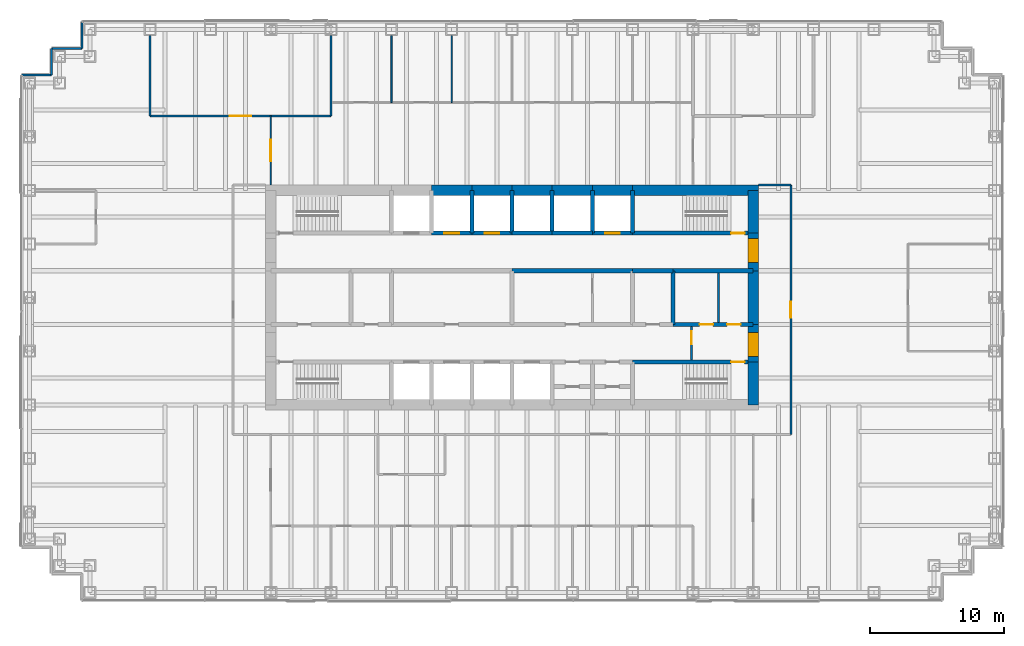
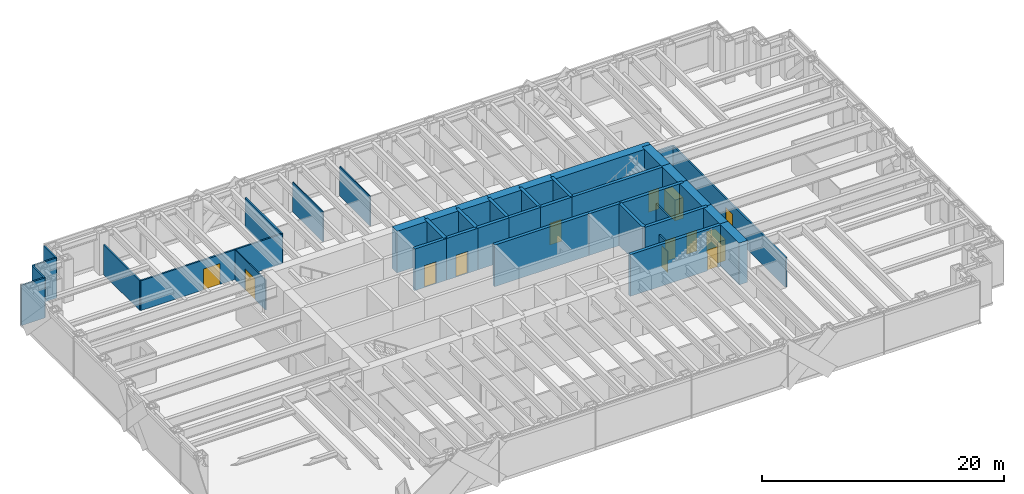
# One storey, part 12 of 14: 42 walls, 13 doors, 13 openings.
"""IFC4 building model written with IfcOpenShell, lengths in metres."""

import ifcopenshell
import ifcopenshell.guid

model = None  # the IFC model being written
_history = None  # IfcOwnerHistory: only IFC2X3 demands one
_inside = {}  # id of a spatial element -> (the spatial element, [elements in it])
_under = {}  # id of a project, library or spatial element -> (it, [spatial elements below it])
_declared = {}  # id of a project -> (the project, [libraries it declares])
_typed = {}  # id of a type object -> (the type object, [elements of that type])
_made_of = {}  # id of a material, layer set ... -> (it, [elements and type objects made of it])


def new_model(schema):
    """Start an empty IFC model of exactly this schema.

    Asked for "IFC4X3", IfcOpenShell would pick the latest addendum, in which some entities
    have other attributes; the version numbers below select the first issue.
    IFC2X3 requires an IfcOwnerHistory on every rooted entity: one is made here for all.
    """
    global model, _history
    if schema == "IFC4X3":
        model = ifcopenshell.file(schema_version=(4, 3, 0, 0))
    else:
        model = ifcopenshell.file(schema=schema)
    _inside.clear()
    _under.clear()
    _declared.clear()
    _typed.clear()
    _made_of.clear()
    _history = None
    if model.schema == "IFC2X3":
        org = make("IfcOrganization", Name="unknown")
        user = make(
            "IfcPersonAndOrganization",
            ThePerson=make("IfcPerson", FamilyName="unknown"),
            TheOrganization=org,
        )
        app = make(
            "IfcApplication",
            ApplicationDeveloper=org,
            Version="unknown",
            ApplicationFullName="unknown",
            ApplicationIdentifier="unknown",
        )
        _history = make(
            "IfcOwnerHistory",
            OwningUser=user,
            OwningApplication=app,
            ChangeAction="ADDED",
            CreationDate=0,
        )
    return model


def make(cls, **values):
    """One entity of the class cls with the attributes given. An attribute that is None is left unset."""
    return model.create_entity(
        cls, **{name: value for name, value in values.items() if value is not None}
    )


def rooted(cls, **values):
    """An entity with a GlobalId (a new one), such as an element, a storey or a relation."""
    return make(cls, GlobalId=ifcopenshell.guid.new(), OwnerHistory=_history, **values)


def si_unit(unit_type, name, prefix=None):
    """IfcSIUnit, for example si_unit("LENGTHUNIT", "METRE", prefix="MILLI")."""
    return make("IfcSIUnit", UnitType=unit_type, Prefix=prefix, Name=name)


def assignment(units):
    """IfcUnitAssignment: the units of a project."""
    return None if units is None else make("IfcUnitAssignment", Units=units)


def point(xyz):
    """IfcCartesianPoint."""
    return None if xyz is None else make("IfcCartesianPoint", Coordinates=xyz)


def direction(xyz):
    """IfcDirection."""
    return None if xyz is None else make("IfcDirection", DirectionRatios=xyz)


def frame(location, z_axis=None, x_axis=None):
    """IfcAxis2Placement3D, a coordinate frame: its origin and axes. An axis left out is left unset."""
    return make(
        "IfcAxis2Placement3D",
        Location=point(location),
        Axis=direction(z_axis),
        RefDirection=direction(x_axis),
    )


def frame_2d(location, x_axis=None):
    """IfcAxis2Placement2D, a coordinate frame in the plane: its origin and x axis."""
    return make(
        "IfcAxis2Placement2D", Location=point(location), RefDirection=direction(x_axis)
    )


def origin():
    """The frame at (0, 0, 0) with its axes left unset."""
    return frame((0.0, 0.0, 0.0))


def place(relative_to, where):
    """IfcLocalPlacement: puts the frame where relative to a parent placement (None: the world)."""
    return make(
        "IfcLocalPlacement", PlacementRelTo=relative_to, RelativePlacement=where
    )


def context(
    kind, dimensions, precision=None, world=None, true_north=None, identifier=None
):
    """IfcGeometricRepresentationContext, for example the 3D "Model" context."""
    return make(
        "IfcGeometricRepresentationContext",
        ContextIdentifier=identifier,
        ContextType=kind,
        CoordinateSpaceDimension=dimensions,
        Precision=precision,
        WorldCoordinateSystem=world,
        TrueNorth=true_north,
    )


def subcontext(parent, identifier, kind, view, scale=None):
    """IfcGeometricRepresentationSubContext, for example "Body" below "Model"."""
    return make(
        "IfcGeometricRepresentationSubContext",
        ContextIdentifier=identifier,
        ContextType=kind,
        ParentContext=parent,
        TargetScale=scale,
        TargetView=view,
    )


def project(units=None, contexts=None):
    """IfcProject with its units and contexts."""
    return rooted(
        "IfcProject",
        Name="project",
        RepresentationContexts=contexts,
        UnitsInContext=assignment(units),
    )


def spatial(cls, under=None, at=None, **own):
    """A site, building, storey or space (cls), placed at a placement, below another one or the project."""
    s = rooted(cls, ObjectPlacement=at, **own)
    if under is not None:
        _under.setdefault(under.id(), (under, []))[1].append(s)
    return s


def profile(cls, at=None, kind="AREA", **sizes):
    """A parametric profile (cls). Its sizes go by their IFC names, for example OverallWidth=200.0."""
    return make(cls, ProfileType=kind, Position=at, **sizes)


def rectangle(**sizes):
    """IfcRectangleProfileDef."""
    return profile("IfcRectangleProfileDef", **sizes)


def extrude(swept, where, along, depth):
    """IfcExtrudedAreaSolid: the profile swept, set in the frame where, extruded along a direction by depth."""
    return make(
        "IfcExtrudedAreaSolid",
        SweptArea=swept,
        Position=where,
        ExtrudedDirection=direction(along),
        Depth=depth,
    )


def shape(context_of_items, identifier, shape_type, items):
    """IfcShapeRepresentation: the items that make up one representation, for example the "Body"."""
    return make(
        "IfcShapeRepresentation",
        ContextOfItems=context_of_items,
        RepresentationIdentifier=identifier,
        RepresentationType=shape_type,
        Items=items,
    )


def material(Name=None, Category=None):
    """IfcMaterial."""
    return make("IfcMaterial", Name=Name, Category=Category)


def layer(
    of_material, thickness, ventilated=None, Name=None, Category=None, Priority=None
):
    """IfcMaterialLayer: one layer of a wall or slab, of a material (None: an air gap)."""
    return make(
        "IfcMaterialLayer",
        Material=of_material,
        LayerThickness=thickness,
        IsVentilated=ventilated,
        Name=Name,
        Category=Category,
        Priority=Priority,
    )


def layer_set(layers, Name=None):
    """IfcMaterialLayerSet."""
    return make("IfcMaterialLayerSet", MaterialLayers=layers, LayerSetName=Name)


def made_of(thing, what):
    """Note that an element or type object is made of a material, layer set ...; save() writes the relation."""
    if what is not None:
        _made_of.setdefault(what.id(), (what, []))[1].append(thing)
    return thing


def type_object(cls, material=None, **own):
    """A type object (cls), such as IfcWallType, which elements share."""
    return made_of(rooted(cls, **own), material)


def element(
    cls,
    number,
    at=None,
    inside=None,
    cuts=None,
    type_object=None,
    material=None,
    context=None,
    identifier="Body",
    shape_type=None,
    held_by="IfcProductDefinitionShape",
    body=None,
    shapes=None,
    **own,
):
    """One element of the class cls, such as IfcWall. Its Tag is "e" and its number.

    at: its placement. inside: the storey or other place that contains it. cuts: it is an
    opening in that element (IfcRelVoidsElement). A single representation is given by context,
    identifier, shape_type and body (its items); several are given by shapes. held_by: the class
    of the entity that holds the representations. save() writes the other relations.
    """
    e = rooted(cls, Tag="e%d" % number, ObjectPlacement=at, **own)
    if body is not None:
        shapes = [shape(context, identifier, shape_type, body)]
    if shapes is not None:
        e.Representation = make(held_by, Representations=shapes)
    if inside is not None:
        _inside.setdefault(inside.id(), (inside, []))[1].append(e)
    if cuts is not None:
        rooted(
            "IfcRelVoidsElement", RelatingBuildingElement=cuts, RelatedOpeningElement=e
        )
    if type_object is not None:
        _typed.setdefault(type_object.id(), (type_object, []))[1].append(e)
    return made_of(e, material)


def fill(opening, filler):
    """IfcRelFillsElement: the door or window that sits in an opening."""
    return rooted(
        "IfcRelFillsElement",
        RelatingOpeningElement=opening,
        RelatedBuildingElement=filler,
    )


def aggregate(whole, parts):
    """IfcRelAggregates: a whole, such as a stair, and the parts it consists of."""
    return rooted("IfcRelAggregates", RelatingObject=whole, RelatedObjects=parts)


def save(model, path):
    """Write the relations noted so far, then the file.

    IfcRelAggregates (storeys below a building ...), IfcRelContainedInSpatialStructure (elements
    in a storey), IfcRelDefinesByType, IfcRelAssociatesMaterial and IfcRelDeclares: one each for
    every whole, place, type object, material and project.
    """
    for whole, parts in _under.values():
        aggregate(whole, parts)
    for where, things in _inside.values():
        rooted(
            "IfcRelContainedInSpatialStructure",
            RelatedElements=things,
            RelatingStructure=where,
        )
    for kind, things in _typed.values():
        rooted("IfcRelDefinesByType", RelatedObjects=things, RelatingType=kind)
    for what, things in _made_of.values():
        rooted("IfcRelAssociatesMaterial", RelatedObjects=things, RelatingMaterial=what)
    for by, libraries in _declared.values():
        rooted("IfcRelDeclares", RelatingContext=by, RelatedDefinitions=libraries)
    model.write(path)


model = new_model("IFC4")

# Units and contexts
model_context = context("Model", 3, precision=1e-05, world=origin(), true_north=direction((0.0, 1.0)))
body_context = subcontext(model_context, "Body", "Model", "MODEL_VIEW")
ifc_project = project(units=[si_unit("LENGTHUNIT", "METRE"), si_unit("AREAUNIT", "SQUARE_METRE"), si_unit("VOLUMEUNIT", "CUBIC_METRE"), si_unit("PLANEANGLEUNIT", "RADIAN"), si_unit("MASSUNIT", "GRAM", prefix="KILO")], contexts=[model_context])

# Site, building, storey
site_placement = place(None, origin())
site = spatial("IfcSite", under=ifc_project, at=site_placement, CompositionType="ELEMENT")
building_placement = place(site_placement, origin())
building = spatial("IfcBuilding", under=site, at=building_placement, Name="Rheinbord Bourse Tower", CompositionType="ELEMENT")
storey_placement = place(building_placement, frame((0.0, 0.0, 198.39990234375)))
storey = spatial("IfcBuildingStorey", under=building, at=storey_placement, Name="L44", CompositionType="ELEMENT", Elevation=198.39990234375)

# Wall, opening, door
ifc_material_1 = material(Name="Concrete C50/60", Category="concrete")
ifc_layer_1 = layer(ifc_material_1, 0.300048828125)
ifc_layer_set_1 = layer_set([ifc_layer_1], Name="CORE INNER WALL 300")
wall_type_1 = type_object("IfcWallType", Name="CORE INNER WALL 300", PredefinedType="SOLIDWALL", material=ifc_layer_set_1)
wall_1_placement = place(storey_placement, frame((45.0, 19.199951171875, 0.0), z_axis=(0.0, 0.0, 1.0), x_axis=(1.0, 0.0, 0.0)))
wall_1 = element("IfcWall", 1, at=wall_1_placement, inside=storey, type_object=wall_type_1, Name="Core wall A8 L44", PredefinedType="SOLIDWALL", context=body_context, shape_type="SweptSolid", body=[
    extrude(rectangle(XDim=9.0, YDim=0.300048828125, at=frame_2d((4.5, 0.0))), origin(), (0.0, 0.0, 1.0), 4.2001953125),
])
opening_1_placement = place(wall_1_placement, frame((7.35009765625, 0.0, 0.0)))
opening_1 = element("IfcOpeningElement", 2, at=opening_1_placement, cuts=wall_1, Name="Opening 4430", PredefinedType="OPENING", context=body_context, shape_type="SweptSolid", body=[
    extrude(rectangle(XDim=1.0, YDim=2.10009765625, at=frame_2d((0.5, 1.050048828125))), frame((0.0, 0.159912109375, 0.0), z_axis=(0.0, -1.0, 0.0), x_axis=(1.0, 0.0, 0.0)), (0.0, 0.0, 1.0), 0.320068359375),
])
ifc_material_2 = material(Name="Steel door", Category="steel")
door_type_1 = type_object("IfcDoorType", Name="DOOR 1000 EI30", OperationType="SINGLE_SWING_LEFT", PredefinedType="DOOR", material=ifc_material_2)
door_1_placement = place(opening_1_placement, origin())
door_1 = element("IfcDoor", 3, at=door_1_placement, inside=storey, type_object=door_type_1, Name="Stair door ST3 L44", OperationType="SINGLE_SWING_RIGHT", OverallHeight=2.10009765625, OverallWidth=1.0, PredefinedType="DOOR", context=body_context, shape_type="SweptSolid", body=[
    extrude(rectangle(XDim=1.0, YDim=2.10009765625, at=frame_2d((0.5, 1.050048828125))), frame((0.0, 0.02490234375, 0.0), z_axis=(0.0, -1.0, 0.0), x_axis=(1.0, 0.0, 0.0)), (0.0, 0.0, 1.0), 0.050048828125),
])
fill(opening_1, door_1)

wall_2_placement = place(storey_placement, frame((30.0, 28.800048828125, 0.0), z_axis=(0.0, 0.0, 1.0), x_axis=(1.0, 0.0, 0.0)))
wall_2 = element("IfcWall", 4, at=wall_2_placement, inside=storey, type_object=wall_type_1, Name="Core wall B3 L44", PredefinedType="SOLIDWALL", context=body_context, shape_type="SweptSolid", body=[
    extrude(rectangle(XDim=3.0, YDim=0.300048828125, at=frame_2d((1.5, 0.0))), origin(), (0.0, 0.0, 1.0), 4.2001953125),
])
opening_2_placement = place(wall_2_placement, frame((0.949951171875, 0.0, 0.0)))
opening_2 = element("IfcOpeningElement", 5, at=opening_2_placement, cuts=wall_2, Name="Opening PC4", PredefinedType="OPENING", context=body_context, shape_type="SweptSolid", body=[
    extrude(rectangle(XDim=1.10009765625, YDim=2.199951171875, at=frame_2d((0.550048828125, 1.10009765625))), frame((0.0, 0.159912109375, 0.0), z_axis=(0.0, -1.0, 0.0), x_axis=(1.0, 0.0, 0.0)), (0.0, 0.0, 1.0), 0.320068359375),
])
ifc_material_3 = material(Name="Steel landing door", Category="steel")
door_type_2 = type_object("IfcDoorType", Name="LIFT LANDING DOOR 1100", OperationType="DOUBLE_DOOR_SLIDING", PredefinedType="USERDEFINED", material=ifc_material_3)
door_2_placement = place(opening_2_placement, origin())
door_2 = element("IfcDoor", 6, at=door_2_placement, inside=storey, type_object=door_type_2, Name="Lift landing door PC4 L44", ObjectType="LIFT LANDING DOOR", OperationType="DOUBLE_DOOR_SLIDING", OverallHeight=2.199951171875, OverallWidth=1.10009765625, PredefinedType="USERDEFINED", context=body_context, shape_type="SweptSolid", body=[
    extrude(rectangle(XDim=1.10009765625, YDim=2.199951171875, at=frame_2d((0.550048828125, 1.10009765625))), frame((0.0, 0.02490234375, 0.0), z_axis=(0.0, -1.0, 0.0), x_axis=(1.0, 0.0, 0.0)), (0.0, 0.0, 1.0), 0.050048828125),
])
fill(opening_2, door_2)

wall_3_placement = place(storey_placement, frame((33.0, 28.800048828125, 0.0), z_axis=(0.0, 0.0, 1.0), x_axis=(1.0, 0.0, 0.0)))
wall_3 = element("IfcWall", 7, at=wall_3_placement, inside=storey, type_object=wall_type_1, Name="Core wall B4 L44", PredefinedType="SOLIDWALL", context=body_context, shape_type="SweptSolid", body=[
    extrude(rectangle(XDim=3.0, YDim=0.300048828125, at=frame_2d((1.5, 0.0))), origin(), (0.0, 0.0, 1.0), 4.2001953125),
])
opening_3_placement = place(wall_3_placement, frame((0.949951171875, 0.0, 0.0)))
opening_3 = element("IfcOpeningElement", 8, at=opening_3_placement, cuts=wall_3, Name="Opening PC5", PredefinedType="OPENING", context=body_context, shape_type="SweptSolid", body=[
    extrude(rectangle(XDim=1.10009765625, YDim=2.199951171875, at=frame_2d((0.550048828125, 1.10009765625))), frame((0.0, 0.159912109375, 0.0), z_axis=(0.0, -1.0, 0.0), x_axis=(1.0, 0.0, 0.0)), (0.0, 0.0, 1.0), 0.320068359375),
])
door_3_placement = place(opening_3_placement, origin())
door_3 = element("IfcDoor", 9, at=door_3_placement, inside=storey, type_object=door_type_2, Name="Lift landing door PC5 L44", ObjectType="LIFT LANDING DOOR", OperationType="DOUBLE_DOOR_SLIDING", OverallHeight=2.199951171875, OverallWidth=1.10009765625, PredefinedType="USERDEFINED", context=body_context, shape_type="SweptSolid", body=[
    extrude(rectangle(XDim=1.10009765625, YDim=2.199951171875, at=frame_2d((0.550048828125, 1.10009765625))), frame((0.0, 0.02490234375, 0.0), z_axis=(0.0, -1.0, 0.0), x_axis=(1.0, 0.0, 0.0)), (0.0, 0.0, 1.0), 0.050048828125),
])
fill(opening_3, door_3)

# Walls
for number, where, z_axis, x_axis, name in (
    (10, (36.0, 28.800048828125, 0.0), (0.0, 0.0, 1.0), (1.0, 0.0, 0.0), "Core wall B5 L44"),
    (11, (39.0, 28.800048828125, 0.0), (0.0, 0.0, 1.0), (1.0, 0.0, 0.0), "Core wall B6 L44"),
):
    element("IfcWall", number, at=place(storey_placement, frame(where, z_axis=z_axis, x_axis=x_axis)), inside=storey, type_object=wall_type_1, Name=name, PredefinedType="SOLIDWALL", context=body_context, shape_type="SweptSolid", body=[
        extrude(rectangle(XDim=3.0, YDim=0.300048828125, at=frame_2d((1.5, 0.0))), origin(), (0.0, 0.0, 1.0), 4.2001953125),
    ])

# Wall, opening, door
wall_4_placement = place(storey_placement, frame((42.0, 28.800048828125, 0.0), z_axis=(0.0, 0.0, 1.0), x_axis=(1.0, 0.0, 0.0)))
wall_4 = element("IfcWall", 12, at=wall_4_placement, inside=storey, type_object=wall_type_1, Name="Core wall B7 L44", PredefinedType="SOLIDWALL", context=body_context, shape_type="SweptSolid", body=[
    extrude(rectangle(XDim=3.0, YDim=0.300048828125, at=frame_2d((1.5, 0.0))), origin(), (0.0, 0.0, 1.0), 4.2001953125),
])
opening_4_placement = place(wall_4_placement, frame((0.949951171875, 0.0, 0.0)))
opening_4 = element("IfcOpeningElement", 13, at=opening_4_placement, cuts=wall_4, Name="Opening FL2", PredefinedType="OPENING", context=body_context, shape_type="SweptSolid", body=[
    extrude(rectangle(XDim=1.10009765625, YDim=2.199951171875, at=frame_2d((0.550048828125, 1.10009765625))), frame((0.0, 0.159912109375, 0.0), z_axis=(0.0, -1.0, 0.0), x_axis=(1.0, 0.0, 0.0)), (0.0, 0.0, 1.0), 0.320068359375),
])
door_4_placement = place(opening_4_placement, origin())
door_4 = element("IfcDoor", 14, at=door_4_placement, inside=storey, type_object=door_type_2, Name="Lift landing door FL2 L44", ObjectType="LIFT LANDING DOOR", OperationType="DOUBLE_DOOR_SLIDING", OverallHeight=2.199951171875, OverallWidth=1.10009765625, PredefinedType="USERDEFINED", context=body_context, shape_type="SweptSolid", body=[
    extrude(rectangle(XDim=1.10009765625, YDim=2.199951171875, at=frame_2d((0.550048828125, 1.10009765625))), frame((0.0, 0.02490234375, 0.0), z_axis=(0.0, -1.0, 0.0), x_axis=(1.0, 0.0, 0.0)), (0.0, 0.0, 1.0), 0.050048828125),
])
fill(opening_4, door_4)

wall_5_placement = place(storey_placement, frame((45.0, 28.800048828125, 0.0), z_axis=(0.0, 0.0, 1.0), x_axis=(1.0, 0.0, 0.0)))
wall_5 = element("IfcWall", 15, at=wall_5_placement, inside=storey, type_object=wall_type_1, Name="Core wall B8 L44", PredefinedType="SOLIDWALL", context=body_context, shape_type="SweptSolid", body=[
    extrude(rectangle(XDim=9.0, YDim=0.300048828125, at=frame_2d((4.5, 0.0))), origin(), (0.0, 0.0, 1.0), 4.2001953125),
])
opening_5_placement = place(wall_5_placement, frame((7.35009765625, 0.0, 0.0)))
opening_5 = element("IfcOpeningElement", 16, at=opening_5_placement, cuts=wall_5, Name="Opening 4440", PredefinedType="OPENING", context=body_context, shape_type="SweptSolid", body=[
    extrude(rectangle(XDim=1.0, YDim=2.10009765625, at=frame_2d((0.5, 1.050048828125))), frame((0.0, 0.159912109375, 0.0), z_axis=(0.0, -1.0, 0.0), x_axis=(1.0, 0.0, 0.0)), (0.0, 0.0, 1.0), 0.320068359375),
])
door_5_placement = place(opening_5_placement, origin())
door_5 = element("IfcDoor", 17, at=door_5_placement, inside=storey, type_object=door_type_1, Name="Stair door ST4 L44", OperationType="SINGLE_SWING_RIGHT", OverallHeight=2.10009765625, OverallWidth=1.0, PredefinedType="DOOR", context=body_context, shape_type="SweptSolid", body=[
    extrude(rectangle(XDim=1.0, YDim=2.10009765625, at=frame_2d((0.5, 1.050048828125))), frame((0.0, 0.02490234375, 0.0), z_axis=(0.0, -1.0, 0.0), x_axis=(1.0, 0.0, 0.0)), (0.0, 0.0, 1.0), 0.050048828125),
])
fill(opening_5, door_5)

# Wall, openings, doors
wall_6_placement = place(storey_placement, frame((48.0, 22.0, 0.0), z_axis=(0.0, 0.0, 1.0), x_axis=(1.0, 0.0, 0.0)))
wall_6 = element("IfcWall", 18, at=wall_6_placement, inside=storey, type_object=wall_type_1, Name="Core wall C6 L44", PredefinedType="SOLIDWALL", context=body_context, shape_type="SweptSolid", body=[
    extrude(rectangle(XDim=6.0, YDim=0.300048828125, at=frame_2d((3.0, 0.0))), origin(), (0.0, 0.0, 1.0), 4.2001953125),
])
opening_6_placement = place(wall_6_placement, frame((2.0, 0.0, 0.0)))
opening_6 = element("IfcOpeningElement", 19, at=opening_6_placement, cuts=wall_6, Name="Opening 44R6", PredefinedType="OPENING", context=body_context, shape_type="SweptSolid", body=[
    extrude(rectangle(XDim=1.0, YDim=2.10009765625, at=frame_2d((0.5, 1.050048828125))), frame((0.0, 0.159912109375, 0.0), z_axis=(0.0, -1.0, 0.0), x_axis=(1.0, 0.0, 0.0)), (0.0, 0.0, 1.0), 0.320068359375),
])
opening_7_placement = place(wall_6_placement, frame((4.050048828125, 0.0, 0.0)))
opening_7 = element("IfcOpeningElement", 20, at=opening_7_placement, cuts=wall_6, Name="Opening 44R10", PredefinedType="OPENING", context=body_context, shape_type="SweptSolid", body=[
    extrude(rectangle(XDim=1.0, YDim=2.10009765625, at=frame_2d((0.5, 1.050048828125))), frame((0.0, 0.159912109375, 0.0), z_axis=(0.0, -1.0, 0.0), x_axis=(1.0, 0.0, 0.0)), (0.0, 0.0, 1.0), 0.320068359375),
])
door_6_placement = place(opening_7_placement, origin())
door_6 = element("IfcDoor", 21, at=door_6_placement, inside=storey, type_object=door_type_1, Name="Cleaner's store door L44", OperationType="SINGLE_SWING_RIGHT", OverallHeight=2.10009765625, OverallWidth=1.0, PredefinedType="DOOR", context=body_context, shape_type="SweptSolid", body=[
    extrude(rectangle(XDim=1.0, YDim=2.10009765625, at=frame_2d((0.5, 1.050048828125))), frame((0.0, 0.02490234375, 0.0), z_axis=(0.0, -1.0, 0.0), x_axis=(1.0, 0.0, 0.0)), (0.0, 0.0, 1.0), 0.050048828125),
])
fill(opening_7, door_6)
ifc_material_4 = material(Name="Timber door", Category="wood")
door_type_3 = type_object("IfcDoorType", Name="DOOR 1000 WC", OperationType="SINGLE_SWING_LEFT", PredefinedType="DOOR", material=ifc_material_4)
door_7_placement = place(opening_6_placement, origin())
door_7 = element("IfcDoor", 22, at=door_7_placement, inside=storey, type_object=door_type_3, Name="WC women door L44", OperationType="SINGLE_SWING_LEFT", OverallHeight=2.10009765625, OverallWidth=1.0, PredefinedType="DOOR", context=body_context, shape_type="SweptSolid", body=[
    extrude(rectangle(XDim=1.0, YDim=2.10009765625, at=frame_2d((0.5, 1.050048828125))), frame((0.0, 0.02490234375, 0.0), z_axis=(0.0, -1.0, 0.0), x_axis=(1.0, 0.0, 0.0)), (0.0, 0.0, 1.0), 0.050048828125),
])
fill(opening_6, door_7)

# Walls
wall_7_placement = place(storey_placement, frame((36.0, 26.0, 0.0), z_axis=(0.0, 0.0, 1.0), x_axis=(1.0, 0.0, 0.0)))
element("IfcWall", 23, at=wall_7_placement, inside=storey, type_object=wall_type_1, Name="Core wall D4 L44", PredefinedType="SOLIDWALL", context=body_context, shape_type="SweptSolid", body=[
    extrude(rectangle(XDim=9.0, YDim=0.300048828125, at=frame_2d((4.5, 0.0))), origin(), (0.0, 0.0, 1.0), 4.2001953125),
])
wall_8_placement = place(storey_placement, frame((45.0, 26.0, 0.0), z_axis=(0.0, 0.0, 1.0), x_axis=(1.0, 0.0, 0.0)))
element("IfcWall", 24, at=wall_8_placement, inside=storey, type_object=wall_type_1, Name="Core wall D5 L44", PredefinedType="SOLIDWALL", context=body_context, shape_type="SweptSolid", body=[
    extrude(rectangle(XDim=3.0, YDim=0.300048828125, at=frame_2d((1.5, 0.0))), origin(), (0.0, 0.0, 1.0), 4.2001953125),
])
wall_9_placement = place(storey_placement, frame((48.0, 26.0, 0.0), z_axis=(0.0, 0.0, 1.0), x_axis=(1.0, 0.0, 0.0)))
element("IfcWall", 25, at=wall_9_placement, inside=storey, type_object=wall_type_1, Name="Core wall D6 L44", PredefinedType="SOLIDWALL", context=body_context, shape_type="SweptSolid", body=[
    extrude(rectangle(XDim=6.0, YDim=0.300048828125, at=frame_2d((3.0, 0.0))), origin(), (0.0, 0.0, 1.0), 4.2001953125),
])
for number, where, z_axis, x_axis, name in (
    (26, (33.0, 28.800048828125, 0.0), (0.0, 0.0, 1.0), (0.0, 1.0, 0.0), "Core wall NX33 L44"),
    (27, (36.0, 28.800048828125, 0.0), (0.0, 0.0, 1.0), (0.0, 1.0, 0.0), "Core wall NX36 L44"),
    (28, (39.0, 28.800048828125, 0.0), (0.0, 0.0, 1.0), (0.0, 1.0, 0.0), "Core wall NX39 L44"),
    (29, (42.0, 28.800048828125, 0.0), (0.0, 0.0, 1.0), (0.0, 1.0, 0.0), "Core wall NX42 L44"),
    (30, (45.0, 28.800048828125, 0.0), (0.0, 0.0, 1.0), (0.0, 1.0, 0.0), "Core wall NX45 L44"),
):
    element("IfcWall", number, at=place(storey_placement, frame(where, z_axis=z_axis, x_axis=x_axis)), inside=storey, type_object=wall_type_1, Name=name, PredefinedType="SOLIDWALL", context=body_context, shape_type="SweptSolid", body=[
        extrude(rectangle(XDim=3.199951171875, YDim=0.300048828125, at=frame_2d((1.60009765625, 0.0))), origin(), (0.0, 0.0, 1.0), 4.2001953125),
    ])
wall_10_placement = place(storey_placement, frame((48.0, 22.0, 0.0), z_axis=(0.0, 0.0, 1.0), x_axis=(0.0, 1.0, 0.0)))
element("IfcWall", 31, at=wall_10_placement, inside=storey, type_object=wall_type_1, Name="Core wall MX48 L44", PredefinedType="SOLIDWALL", context=body_context, shape_type="SweptSolid", body=[
    extrude(rectangle(XDim=4.0, YDim=0.300048828125, at=frame_2d((2.0, 0.0))), origin(), (0.0, 0.0, 1.0), 4.2001953125),
])
ifc_material_5 = material(Name="Gypsum board fire partition", Category="gypsum board")
ifc_layer_2 = layer(ifc_material_5, 0.14990234375)
ifc_layer_set_2 = layer_set([ifc_layer_2], Name="CORE PARTITION 150 EI30")
wall_type_2 = type_object("IfcWallType", Name="CORE PARTITION 150 EI30", PredefinedType="PARTITIONING", material=ifc_layer_set_2)
wall_11_placement = place(storey_placement, frame((51.425048828125, 22.14990234375, 0.0), z_axis=(0.0, 0.0, 1.0), x_axis=(0.0, 1.0, 0.0)))
element("IfcWall", 32, at=wall_11_placement, inside=storey, type_object=wall_type_2, Name="Core partition L44-3", PredefinedType="PARTITIONING", context=body_context, shape_type="SweptSolid", body=[
    extrude(rectangle(XDim=3.7001953125, YDim=0.14990234375, at=frame_2d((1.85009765625, 0.0))), origin(), (0.0, 0.0, 1.0), 3.0),
])

# Wall, opening, door
wall_12_placement = place(storey_placement, frame((49.39990234375, 19.35009765625, 0.0), z_axis=(0.0, 0.0, 1.0), x_axis=(0.0, 1.0, 0.0)))
wall_12 = element("IfcWall", 33, at=wall_12_placement, inside=storey, type_object=wall_type_2, Name="Core partition L44-4", PredefinedType="PARTITIONING", context=body_context, shape_type="SweptSolid", body=[
    extrude(rectangle(XDim=2.5, YDim=0.14990234375, at=frame_2d((1.25, 0.0))), origin(), (0.0, 0.0, 1.0), 3.0),
])
opening_8_placement = place(wall_12_placement, frame((1.14990234375, 0.0, 0.0)))
opening_8 = element("IfcOpeningElement", 34, at=opening_8_placement, cuts=wall_12, Name="Opening 44L5", PredefinedType="OPENING", context=body_context, shape_type="SweptSolid", body=[
    extrude(rectangle(XDim=1.0, YDim=2.10009765625, at=frame_2d((0.5, 1.050048828125))), frame((0.0, 0.0849609375, 0.0), z_axis=(0.0, -1.0, 0.0), x_axis=(1.0, 0.0, 0.0)), (0.0, 0.0, 1.0), 0.169921875),
])
door_8_placement = place(opening_8_placement, origin())
door_8 = element("IfcDoor", 35, at=door_8_placement, inside=storey, type_object=door_type_1, Name="Stair lobby door L44", OperationType="SINGLE_SWING_RIGHT", OverallHeight=2.10009765625, OverallWidth=1.0, PredefinedType="DOOR", context=body_context, shape_type="SweptSolid", body=[
    extrude(rectangle(XDim=1.0, YDim=2.10009765625, at=frame_2d((0.5, 1.050048828125))), frame((0.0, 0.02490234375, 0.0), z_axis=(0.0, -1.0, 0.0), x_axis=(1.0, 0.0, 0.0)), (0.0, 0.0, 1.0), 0.050048828125),
])
fill(opening_8, door_8)

# Walls
ifc_material_6 = material(Name="Concrete C50/60", Category="concrete")
ifc_layer_3 = layer(ifc_material_6, 0.800048828125)
ifc_layer_set_3 = layer_set([ifc_layer_3], Name="CORE WALL 800")
wall_type_3 = type_object("IfcWallType", Name="CORE WALL 800", PredefinedType="SHEAR", material=ifc_layer_set_3)
wall_13_placement = place(storey_placement, frame((54.39990234375, 32.0, 0.0), z_axis=(0.0, 0.0, 1.0), x_axis=(-1.0, 0.0, 0.0)))
element("IfcWall", 36, at=wall_13_placement, inside=storey, type_object=wall_type_3, Name="Core wall N1 L44", PredefinedType="SHEAR", context=body_context, shape_type="SweptSolid", body=[
    extrude(rectangle(XDim=9.39990234375, YDim=0.800048828125, at=frame_2d((4.699951171875, 0.0))), origin(), (0.0, 0.0, 1.0), 4.2001953125),
])
for number, where, z_axis, x_axis, name in (
    (37, (45.0, 32.0, 0.0), (0.0, 0.0, 1.0), (-1.0, 0.0, 0.0), "Core wall N2 L44"),
    (38, (42.0, 32.0, 0.0), (0.0, 0.0, 1.0), (-1.0, 0.0, 0.0), "Core wall N3 L44"),
    (39, (39.0, 32.0, 0.0), (0.0, 0.0, 1.0), (-1.0, 0.0, 0.0), "Core wall N4 L44"),
    (40, (36.0, 32.0, 0.0), (0.0, 0.0, 1.0), (-1.0, 0.0, 0.0), "Core wall N5 L44"),
    (41, (33.0, 32.0, 0.0), (0.0, 0.0, 1.0), (-1.0, 0.0, 0.0), "Core wall N6 L44"),
):
    element("IfcWall", number, at=place(storey_placement, frame(where, z_axis=z_axis, x_axis=x_axis)), inside=storey, type_object=wall_type_3, Name=name, PredefinedType="SHEAR", context=body_context, shape_type="SweptSolid", body=[
        extrude(rectangle(XDim=3.0, YDim=0.800048828125, at=frame_2d((1.5, 0.0))), origin(), (0.0, 0.0, 1.0), 4.2001953125),
    ])
wall_14_placement = place(storey_placement, frame((54.0, 16.0, 0.0), z_axis=(0.0, 0.0, 1.0), x_axis=(0.0, 1.0, 0.0)))
element("IfcWall", 42, at=wall_14_placement, inside=storey, type_object=wall_type_3, Name="Core wall E1 L44", PredefinedType="SHEAR", context=body_context, shape_type="SweptSolid", body=[
    extrude(rectangle(XDim=3.199951171875, YDim=0.800048828125, at=frame_2d((1.60009765625, 0.0))), origin(), (0.0, 0.0, 1.0), 4.2001953125),
])

# Wall, opening, door
wall_15_placement = place(storey_placement, frame((54.0, 19.199951171875, 0.0), z_axis=(0.0, 0.0, 1.0), x_axis=(0.0, 1.0, 0.0)))
wall_15 = element("IfcWall", 43, at=wall_15_placement, inside=storey, type_object=wall_type_3, Name="Core wall E2 L44", PredefinedType="SHEAR", context=body_context, shape_type="SweptSolid", body=[
    extrude(rectangle(XDim=2.800048828125, YDim=0.800048828125, at=frame_2d((1.39990234375, 0.0))), origin(), (0.0, 0.0, 1.0), 4.2001953125),
])
opening_9_placement = place(wall_15_placement, frame((0.39990234375, 0.0, 0.0)))
opening_9 = element("IfcOpeningElement", 44, at=opening_9_placement, cuts=wall_15, Name="Opening 44L3", PredefinedType="OPENING", context=body_context, shape_type="SweptSolid", body=[
    extrude(rectangle(XDim=1.800048828125, YDim=2.10009765625, at=frame_2d((0.89990234375, 1.050048828125))), frame((0.0, 0.409912109375, 0.0), z_axis=(0.0, -1.0, 0.0), x_axis=(1.0, 0.0, 0.0)), (0.0, 0.0, 1.0), 0.820068359375),
])
ifc_material_7 = material(Name="Steel door", Category="steel")
door_type_4 = type_object("IfcDoorType", Name="DOOR 1800 EI30 DOUBLE", OperationType="DOUBLE_DOOR_DOUBLE_SWING", PredefinedType="DOOR", material=ifc_material_7)
door_9_placement = place(opening_9_placement, origin())
door_9 = element("IfcDoor", 45, at=door_9_placement, inside=storey, type_object=door_type_4, Name="Lobby door 3 L44", OperationType="SINGLE_SWING_LEFT", OverallHeight=2.10009765625, OverallWidth=1.800048828125, PredefinedType="DOOR", context=body_context, shape_type="SweptSolid", body=[
    extrude(rectangle(XDim=1.800048828125, YDim=2.10009765625, at=frame_2d((0.89990234375, 1.050048828125))), frame((0.0, 0.39990234375, 0.0), z_axis=(0.0, -1.0, 0.0), x_axis=(1.0, 0.0, 0.0)), (0.0, 0.0, 1.0), 0.799560546875),
])
fill(opening_9, door_9)

# Wall
wall_16_placement = place(storey_placement, frame((54.0, 22.0, 0.0), z_axis=(0.0, 0.0, 1.0), x_axis=(0.0, 1.0, 0.0)))
element("IfcWall", 46, at=wall_16_placement, inside=storey, type_object=wall_type_3, Name="Core wall E3 L44", PredefinedType="SHEAR", context=body_context, shape_type="SweptSolid", body=[
    extrude(rectangle(XDim=4.0, YDim=0.800048828125, at=frame_2d((2.0, 0.0))), origin(), (0.0, 0.0, 1.0), 4.2001953125),
])

# Wall, opening, door
wall_17_placement = place(storey_placement, frame((54.0, 26.0, 0.0), z_axis=(0.0, 0.0, 1.0), x_axis=(0.0, 1.0, 0.0)))
wall_17 = element("IfcWall", 47, at=wall_17_placement, inside=storey, type_object=wall_type_3, Name="Core wall E4 L44", PredefinedType="SHEAR", context=body_context, shape_type="SweptSolid", body=[
    extrude(rectangle(XDim=2.800048828125, YDim=0.800048828125, at=frame_2d((1.39990234375, 0.0))), origin(), (0.0, 0.0, 1.0), 4.2001953125),
])
opening_10_placement = place(wall_17_placement, frame((0.60009765625, 0.0, 0.0)))
opening_10 = element("IfcOpeningElement", 48, at=opening_10_placement, cuts=wall_17, Name="Opening 44L4", PredefinedType="OPENING", context=body_context, shape_type="SweptSolid", body=[
    extrude(rectangle(XDim=1.800048828125, YDim=2.10009765625, at=frame_2d((0.89990234375, 1.050048828125))), frame((0.0, 0.409912109375, 0.0), z_axis=(0.0, -1.0, 0.0), x_axis=(1.0, 0.0, 0.0)), (0.0, 0.0, 1.0), 0.820068359375),
])
door_10_placement = place(opening_10_placement, origin())
door_10 = element("IfcDoor", 49, at=door_10_placement, inside=storey, type_object=door_type_4, Name="Lobby door 4 L44", OperationType="SINGLE_SWING_LEFT", OverallHeight=2.10009765625, OverallWidth=1.800048828125, PredefinedType="DOOR", context=body_context, shape_type="SweptSolid", body=[
    extrude(rectangle(XDim=1.800048828125, YDim=2.10009765625, at=frame_2d((0.89990234375, 1.050048828125))), frame((0.0, 0.39990234375, 0.0), z_axis=(0.0, -1.0, 0.0), x_axis=(1.0, 0.0, 0.0)), (0.0, 0.0, 1.0), 0.799560546875),
])
fill(opening_10, door_10)

# Walls
wall_18_placement = place(storey_placement, frame((54.0, 28.800048828125, 0.0), z_axis=(0.0, 0.0, 1.0), x_axis=(0.0, 1.0, 0.0)))
element("IfcWall", 50, at=wall_18_placement, inside=storey, type_object=wall_type_3, Name="Core wall E5 L44", PredefinedType="SHEAR", context=body_context, shape_type="SweptSolid", body=[
    extrude(rectangle(XDim=3.199951171875, YDim=0.800048828125, at=frame_2d((1.60009765625, 0.0))), origin(), (0.0, 0.0, 1.0), 4.2001953125),
])
ifc_material_8 = material(Name="Black metal rainscreen panel", Category="aluminium")
ifc_layer_4 = layer(ifc_material_8, 0.14990234375)
ifc_layer_set_4 = layer_set([ifc_layer_4], Name="CORNER PIER CLADDING 150")
wall_type_4 = type_object("IfcWallType", Name="CORNER PIER CLADDING 150", PredefinedType="ELEMENTEDWALL", material=ifc_layer_set_4)
wall_19_placement = place(storey_placement, frame((3.89990234375, 44.60009765625, 0.0), z_axis=(0.0, 0.0, 1.0), x_axis=(0.0, -1.0, 0.0)))
element("IfcWall", 51, at=wall_19_placement, inside=storey, type_object=wall_type_4, Name="Corner pier cladding L44 12", PredefinedType="ELEMENTEDWALL", context=body_context, shape_type="SweptSolid", body=[
    extrude(rectangle(XDim=2.0, YDim=0.14990234375, at=frame_2d((1.0, 0.0))), origin(), (0.0, 0.0, 1.0), 4.0400390625),
])
wall_20_placement = place(storey_placement, frame((3.89990234375, 42.60009765625, 0.0), z_axis=(0.0, 0.0, 1.0), x_axis=(-1.0, 0.0, 0.0)))
element("IfcWall", 52, at=wall_20_placement, inside=storey, type_object=wall_type_4, Name="Corner pier cladding L44 13", PredefinedType="ELEMENTEDWALL", context=body_context, shape_type="SweptSolid", body=[
    extrude(rectangle(XDim=2.25, YDim=0.14990234375, at=frame_2d((1.125, 0.0))), origin(), (0.0, 0.0, 1.0), 4.0400390625),
])
wall_21_placement = place(storey_placement, frame((1.64990234375, 42.60009765625, 0.0), z_axis=(0.0, 0.0, 1.0), x_axis=(0.0, -1.0, 0.0)))
element("IfcWall", 53, at=wall_21_placement, inside=storey, type_object=wall_type_4, Name="Corner pier cladding L44 14", PredefinedType="ELEMENTEDWALL", context=body_context, shape_type="SweptSolid", body=[
    extrude(rectangle(XDim=2.0, YDim=0.14990234375, at=frame_2d((1.0, 0.0))), origin(), (0.0, 0.0, 1.0), 4.0400390625),
])
wall_22_placement = place(storey_placement, frame((1.64990234375, 40.60009765625, 0.0), z_axis=(0.0, 0.0, 1.0), x_axis=(-1.0, 0.0, 0.0)))
element("IfcWall", 54, at=wall_22_placement, inside=storey, type_object=wall_type_4, Name="Corner pier cladding L44 15", PredefinedType="ELEMENTEDWALL", context=body_context, shape_type="SweptSolid", body=[
    extrude(rectangle(XDim=2.25, YDim=0.14990234375, at=frame_2d((1.125, 0.0))), origin(), (0.0, 0.0, 1.0), 4.0400390625),
])
ifc_material_9 = material(Name="Gypsum board corridor partition", Category="gypsum board")
ifc_layer_5 = layer(ifc_material_9, 0.14990234375)
ifc_layer_set_5 = layer_set([ifc_layer_5], Name="CORRIDOR PARTITION 150 EI30")
wall_type_5 = type_object("IfcWallType", Name="CORRIDOR PARTITION 150 EI30", PredefinedType="PARTITIONING", material=ifc_layer_set_5)
wall_23_placement = place(storey_placement, frame((54.39990234375, 32.39990234375, 0.0), z_axis=(0.0, 0.0, 1.0), x_axis=(1.0, 0.0, 0.0)))
element("IfcWall", 55, at=wall_23_placement, inside=storey, type_object=wall_type_5, Name="Partition L44-11", PredefinedType="PARTITIONING", context=body_context, shape_type="SweptSolid", body=[
    extrude(rectangle(XDim=2.400146484375, YDim=0.14990234375, at=frame_2d((1.2001953125, 0.0))), origin(), (0.0, 0.0, 1.0), 3.0),
])

# Wall, opening, door
wall_24_placement = place(storey_placement, frame((56.800048828125, 13.800048828125, 0.0), z_axis=(0.0, 0.0, 1.0), x_axis=(0.0, 1.0, 0.0)))
wall_24 = element("IfcWall", 56, at=wall_24_placement, inside=storey, type_object=wall_type_5, Name="Partition L44-39", PredefinedType="PARTITIONING", context=body_context, shape_type="SweptSolid", body=[
    extrude(rectangle(XDim=18.599853515625, YDim=0.14990234375, at=frame_2d((9.2998046875, 0.0))), origin(), (0.0, 0.0, 1.0), 3.0),
])
opening_11_placement = place(wall_24_placement, frame((8.699951171875, 0.0, 0.0)))
opening_11 = element("IfcOpeningElement", 57, at=opening_11_placement, cuts=wall_24, Name="Opening 44D24", PredefinedType="OPENING", context=body_context, shape_type="SweptSolid", body=[
    extrude(rectangle(XDim=1.199951171875, YDim=2.10009765625, at=frame_2d((0.60009765625, 1.050048828125))), frame((0.0, 0.0849609375, 0.0), z_axis=(0.0, -1.0, 0.0), x_axis=(1.0, 0.0, 0.0)), (0.0, 0.0, 1.0), 0.169921875),
])
ifc_material_10 = material(Name="Timber fire door", Category="wood")
door_type_5 = type_object("IfcDoorType", Name="SUITE ENTRANCE DOOR 1200 EI30", OperationType="SINGLE_SWING_LEFT", PredefinedType="DOOR", material=ifc_material_10)
door_11_placement = place(opening_11_placement, origin())
door_11 = element("IfcDoor", 58, at=door_11_placement, inside=storey, type_object=door_type_5, Name="Suite entrance 2 door L44", OperationType="SINGLE_SWING_LEFT", OverallHeight=2.10009765625, OverallWidth=1.199951171875, PredefinedType="DOOR", context=body_context, shape_type="SweptSolid", body=[
    extrude(rectangle(XDim=1.199951171875, YDim=2.10009765625, at=frame_2d((0.60009765625, 1.050048828125))), frame((0.0, 0.02490234375, 0.0), z_axis=(0.0, -1.0, 0.0), x_axis=(1.0, 0.0, 0.0)), (0.0, 0.0, 1.0), 0.050048828125),
])
fill(opening_11, door_11)

ifc_material_11 = material(Name="Toughened laminated glass partition", Category="glass")
ifc_layer_6 = layer(ifc_material_11, 0.10009765625)
ifc_layer_set_6 = layer_set([ifc_layer_6], Name="GLAZED PARTITION 100")
wall_type_6 = type_object("IfcWallType", Name="GLAZED PARTITION 100", PredefinedType="PARTITIONING", material=ifc_layer_set_6)
wall_25_placement = place(storey_placement, frame((18.0, 32.39990234375, 0.0), z_axis=(0.0, 0.0, 1.0), x_axis=(0.0, 1.0, 0.0)))
wall_25 = element("IfcWall", 59, at=wall_25_placement, inside=storey, type_object=wall_type_6, Name="Partition L44-20", PredefinedType="PARTITIONING", context=body_context, shape_type="SweptSolid", body=[
    extrude(rectangle(XDim=5.150146484375, YDim=0.10009765625, at=frame_2d((2.5751953125, 0.0))), origin(), (0.0, 0.0, 1.0), 3.0),
])
opening_12_placement = place(wall_25_placement, frame((1.77490234375, 0.0, 0.0)))
opening_12 = element("IfcOpeningElement", 60, at=opening_12_placement, cuts=wall_25, Name="Opening 44D20", PredefinedType="OPENING", context=body_context, shape_type="SweptSolid", body=[
    extrude(rectangle(XDim=1.60009765625, YDim=2.10009765625, at=frame_2d((0.800048828125, 1.050048828125))), frame((0.0, 0.06005859375, 0.0), z_axis=(0.0, -1.0, 0.0), x_axis=(1.0, 0.0, 0.0)), (0.0, 0.0, 1.0), 0.1201171875),
])
ifc_material_12 = material(Name="Timber door", Category="wood")
door_type_6 = type_object("IfcDoorType", Name="DOUBLE ROOM DOOR 1600", OperationType="DOUBLE_DOOR_DOUBLE_SWING", PredefinedType="DOOR", material=ifc_material_12)
door_12_placement = place(opening_12_placement, origin())
door_12 = element("IfcDoor", 61, at=door_12_placement, inside=storey, type_object=door_type_6, Name="Open area door L44", OperationType="SINGLE_SWING_LEFT", OverallHeight=2.10009765625, OverallWidth=1.60009765625, PredefinedType="DOOR", context=body_context, shape_type="SweptSolid", body=[
    extrude(rectangle(XDim=1.60009765625, YDim=2.10009765625, at=frame_2d((0.800048828125, 1.050048828125))), frame((0.0, 0.02490234375, 0.0), z_axis=(0.0, -1.0, 0.0), x_axis=(1.0, 0.0, 0.0)), (0.0, 0.0, 1.0), 0.050048828125),
])
fill(opening_12, door_12)

# Walls
for number, where, z_axis, x_axis, name in (
    (62, (27.0, 38.550048828125, 0.0), (0.0, 0.0, 1.0), (0.0, 1.0, 0.0), "Partition L44-25"),
    (63, (31.5, 38.550048828125, 0.0), (0.0, 0.0, 1.0), (0.0, 1.0, 0.0), "Partition L44-28"),
):
    element("IfcWall", number, at=place(storey_placement, frame(where, z_axis=z_axis, x_axis=x_axis)), inside=storey, type_object=wall_type_6, Name=name, PredefinedType="PARTITIONING", context=body_context, shape_type="SweptSolid", body=[
        extrude(rectangle(XDim=5.0, YDim=0.10009765625, at=frame_2d((2.5, 0.0))), origin(), (0.0, 0.0, 1.0), 3.0),
    ])

# Wall, opening, door
ifc_material_13 = material(Name="Gypsum board partition", Category="gypsum board")
ifc_layer_7 = layer(ifc_material_13, 0.14990234375)
ifc_layer_set_7 = layer_set([ifc_layer_7], Name="PARTITION 150")
wall_type_7 = type_object("IfcWallType", Name="PARTITION 150", PredefinedType="PARTITIONING", material=ifc_layer_set_7)
wall_26_placement = place(storey_placement, frame((9.0, 37.550048828125, 0.0), z_axis=(0.0, 0.0, 1.0), x_axis=(1.0, 0.0, 0.0)))
wall_26 = element("IfcWall", 64, at=wall_26_placement, inside=storey, type_object=wall_type_7, Name="Partition L44-12", PredefinedType="PARTITIONING", context=body_context, shape_type="SweptSolid", body=[
    extrude(rectangle(XDim=13.5, YDim=0.14990234375, at=frame_2d((6.75, 0.0))), origin(), (0.0, 0.0, 1.0), 3.0),
])
opening_13_placement = place(wall_26_placement, frame((5.949951171875, 0.0, 0.0)))
opening_13 = element("IfcOpeningElement", 65, at=opening_13_placement, cuts=wall_26, Name="Opening 44D12", PredefinedType="OPENING", context=body_context, shape_type="SweptSolid", body=[
    extrude(rectangle(XDim=1.60009765625, YDim=2.10009765625, at=frame_2d((0.800048828125, 1.050048828125))), frame((0.0, 0.0849609375, 0.0), z_axis=(0.0, -1.0, 0.0), x_axis=(1.0, 0.0, 0.0)), (0.0, 0.0, 1.0), 0.169921875),
])
door_13_placement = place(opening_13_placement, origin())
door_13 = element("IfcDoor", 66, at=door_13_placement, inside=storey, type_object=door_type_6, Name="Client lounge door L44", OperationType="SINGLE_SWING_LEFT", OverallHeight=2.10009765625, OverallWidth=1.60009765625, PredefinedType="DOOR", context=body_context, shape_type="SweptSolid", body=[
    extrude(rectangle(XDim=1.60009765625, YDim=2.10009765625, at=frame_2d((0.800048828125, 1.050048828125))), frame((0.0, 0.02490234375, 0.0), z_axis=(0.0, -1.0, 0.0), x_axis=(1.0, 0.0, 0.0)), (0.0, 0.0, 1.0), 0.050048828125),
])
fill(opening_13, door_13)

# Walls
for number, where, z_axis, x_axis, name in (
    (67, (9.0, 37.550048828125, 0.0), (0.0, 0.0, 1.0), (0.0, 1.0, 0.0), "Partition L44-16"),
    (68, (22.5, 37.550048828125, 0.0), (0.0, 0.0, 1.0), (0.0, 1.0, 0.0), "Partition L44-22"),
):
    element("IfcWall", number, at=place(storey_placement, frame(where, z_axis=z_axis, x_axis=x_axis)), inside=storey, type_object=wall_type_7, Name=name, PredefinedType="PARTITIONING", context=body_context, shape_type="SweptSolid", body=[
        extrude(rectangle(XDim=6.0, YDim=0.14990234375, at=frame_2d((3.0, 0.0))), origin(), (0.0, 0.0, 1.0), 3.0),
    ])

save(model, "model.ifc")
